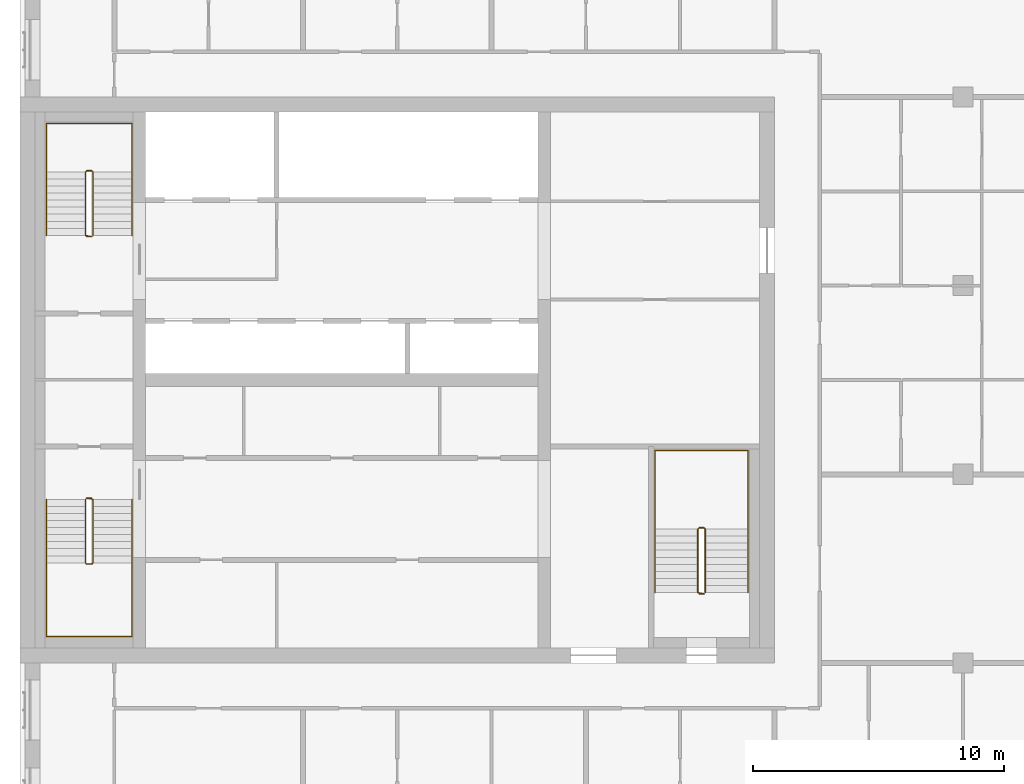
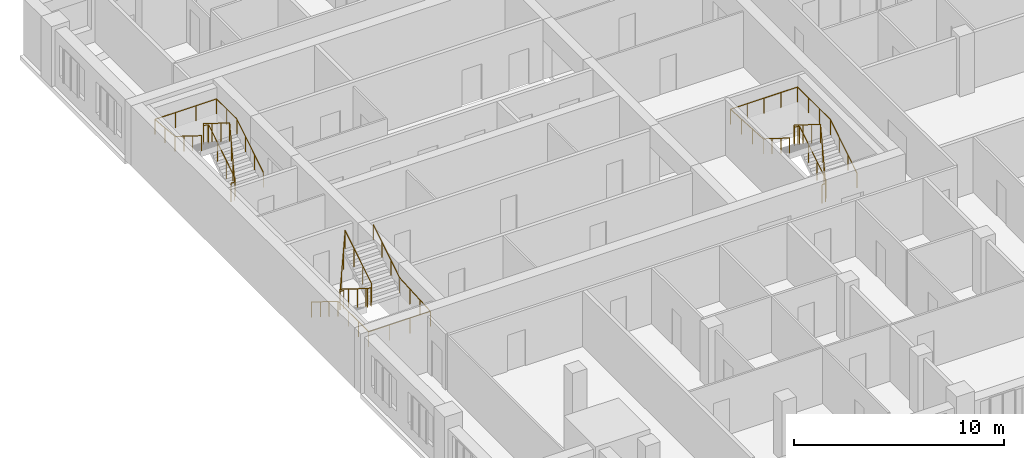
# One storey, part 11 of 11: 6 railings.
"""IFC4 building model written with IfcOpenShell, lengths in metres."""

from ifc_helpers import new_model, si_unit, direction, frame, origin, origin_2d, place, context, subcontext, project, spatial, circle, extrude, material, type_object, element, save


model = new_model("IFC4")

# Units and contexts
model_context = context("Model", 3, precision=1e-05, world=origin(), true_north=direction((0.0, 1.0)))
body_context = subcontext(model_context, "Body", "Model", "MODEL_VIEW")
ifc_project = project(units=[si_unit("LENGTHUNIT", "METRE"), si_unit("AREAUNIT", "SQUARE_METRE"), si_unit("VOLUMEUNIT", "CUBIC_METRE"), si_unit("PLANEANGLEUNIT", "RADIAN"), si_unit("MASSUNIT", "GRAM", prefix="KILO")], contexts=[model_context])

# Site, building, storey
site_placement = place(None, origin())
site = spatial("IfcSite", under=ifc_project, at=site_placement, CompositionType="ELEMENT")
building_placement = place(site_placement, origin())
building = spatial("IfcBuilding", under=site, at=building_placement, Name="Tamorin Gate", CompositionType="ELEMENT")
storey_placement = place(building_placement, frame((0.0, 0.0, 233.699951171875)))
storey = spatial("IfcBuildingStorey", under=building, at=storey_placement, Name="L58", CompositionType="ELEMENT", Elevation=233.699951171875)

# Railings
ifc_material_1 = material(Name="Painted steel balustrade", Category="steel")
railing_type_1 = type_object("IfcRailingType", Name="Stair guard 1100", PredefinedType="GUARDRAIL", material=ifc_material_1)
railing_1_placement = place(storey_placement, frame((32.60009765625, 66.5, 0.175048828125)))
element("IfcRailing", 1, at=railing_1_placement, inside=storey, type_object=railing_type_1, Name="L58 ST1 stair guard 1", PredefinedType="GUARDRAIL", context=body_context, shape_type="SweptSolid", body=[
    extrude(circle(Radius=0.02392578125, at=origin_2d()), frame((0.0, 0.0, 1.076171875), z_axis=(0.0, -0.848007534815, 0.529984170421), x_axis=(1.0, 0.0, 0.0)), (0.0, 0.0, 1.0), 2.9716796875),
    extrude(circle(Radius=0.02392578125, at=origin_2d()), frame((0.0, -2.52001953125, 2.65087890625), z_axis=(0.705375805398, -0.708833529934, 0.0), x_axis=(0.708833529934, 0.705375805398, 0.0)), (0.0, 0.0, 1.0), 0.070556640625),
    extrude(circle(Radius=0.02392578125, at=origin_2d()), frame((0.0498046875, -2.570068359375, 2.65087890625), z_axis=(1.0, 0.0, 0.0), x_axis=(0.0, 1.0, 0.0)), (0.0, 0.0, 1.0), 0.2001953125),
    extrude(circle(Radius=0.02392578125, at=origin_2d()), frame((0.25, -2.570068359375, 2.65087890625), z_axis=(0.263862480399, 0.265155923931, 0.927399011991), x_axis=(-0.708833529934, 0.705375805398, 0.0)), (0.0, 0.0, 1.0), 0.188720703125),
    extrude(circle(Radius=0.02392578125, at=origin_2d()), frame((0.2998046875, -2.52001953125, 2.826171875), z_axis=(0.0, 0.848007534815, 0.529984170421), x_axis=(-1.0, 0.0, 0.0)), (0.0, 0.0, 1.0), 2.9716796875),
    extrude(circle(Radius=0.02392578125, at=origin_2d()), frame((0.2998046875, 0.0, 4.40087890625), z_axis=(-0.071239803756, 0.014261874775, -0.997357252587), x_axis=(-0.196300278283, -0.98054382908, 0.0)), (0.0, 0.0, 1.0), 3.50927734375),
    extrude(circle(Radius=0.02392578125, at=origin_2d()), frame((0.0498046875, 0.050048828125, 0.90087890625), z_axis=(1.0, 0.0, 0.0), x_axis=(0.0, 1.0, 0.0)), (0.0, 0.0, 1.0), 0.2001953125),
    extrude(circle(Radius=0.02099609375, at=origin_2d()), origin(), (0.0, 0.0, 1.0), 1.052001953125),
    extrude(circle(Radius=0.02099609375, at=origin_2d()), frame((0.0, -0.840087890625, 0.52490234375)), (0.0, 0.0, 1.0), 1.052001953125),
    extrude(circle(Radius=0.02099609375, at=origin_2d()), frame((0.0, -1.679931640625, 1.050048828125)), (0.0, 0.0, 1.0), 1.052001953125),
    extrude(circle(Radius=0.02099609375, at=origin_2d()), frame((0.0, -2.52001953125, 1.574951171875)), (0.0, 0.0, 1.0), 1.052001953125),
    extrude(circle(Radius=0.02099609375, at=origin_2d()), frame((0.0498046875, -2.570068359375, 1.574951171875)), (0.0, 0.0, 1.0), 1.052001953125),
    extrude(circle(Radius=0.02099609375, at=origin_2d()), frame((0.25, -2.570068359375, 1.574951171875)), (0.0, 0.0, 1.0), 1.052001953125),
    extrude(circle(Radius=0.02099609375, at=origin_2d()), frame((0.2998046875, -2.52001953125, 1.75)), (0.0, 0.0, 1.0), 1.052001953125),
    extrude(circle(Radius=0.02099609375, at=origin_2d()), frame((0.2998046875, -1.679931640625, 2.27490234375)), (0.0, 0.0, 1.0), 1.052001953125),
    extrude(circle(Radius=0.02099609375, at=origin_2d()), frame((0.2998046875, -0.840087890625, 2.800048828125)), (0.0, 0.0, 1.0), 1.052001953125),
    extrude(circle(Radius=0.02099609375, at=origin_2d()), frame((0.2998046875, 0.0, 3.324951171875)), (0.0, 0.0, 1.0), 1.052001953125),
    extrude(circle(Radius=0.02099609375, at=origin_2d()), frame((0.216552734375, 0.0166015625, 2.158203125)), (0.0, 0.0, 1.0), 1.052001953125),
    extrude(circle(Radius=0.02099609375, at=origin_2d()), frame((0.133056640625, 0.033447265625, 0.99169921875)), (0.0, 0.0, 1.0), 1.052001953125),
    extrude(circle(Radius=0.02099609375, at=origin_2d()), frame((0.0498046875, 0.050048828125, -0.175048828125)), (0.0, 0.0, 1.0), 1.052001953125),
    extrude(circle(Radius=0.02099609375, at=origin_2d()), frame((0.25, 0.050048828125, -0.175048828125)), (0.0, 0.0, 1.0), 1.052001953125),
])
railing_2_placement = place(storey_placement, frame((32.89990234375, 77.0, 0.175048828125)))
element("IfcRailing", 2, at=railing_2_placement, inside=storey, type_object=railing_type_1, Name="L58 ST2 stair guard 1", PredefinedType="GUARDRAIL", context=body_context, shape_type="SweptSolid", body=[
    extrude(circle(Radius=0.02392578125, at=origin_2d()), frame((0.0, 0.0, 1.076171875), z_axis=(0.0, 0.848007534815, 0.529984170421), x_axis=(-1.0, 0.0, 0.0)), (0.0, 0.0, 1.0), 2.9716796875),
    extrude(circle(Radius=0.02392578125, at=origin_2d()), frame((0.0, 2.52001953125, 2.65087890625), z_axis=(-0.705375805398, 0.708833529934, 0.0), x_axis=(-0.708833529934, -0.705375805398, 0.0)), (0.0, 0.0, 1.0), 0.070556640625),
    extrude(circle(Radius=0.02392578125, at=origin_2d()), frame((-0.0498046875, 2.570068359375, 2.65087890625), z_axis=(-1.0, 0.0, 0.0), x_axis=(0.0, -1.0, 0.0)), (0.0, 0.0, 1.0), 0.2001953125),
    extrude(circle(Radius=0.02392578125, at=origin_2d()), frame((-0.25, 2.570068359375, 2.65087890625), z_axis=(-0.263862480399, -0.265155923931, 0.927399011991), x_axis=(0.708833529934, -0.705375805398, 0.0)), (0.0, 0.0, 1.0), 0.188720703125),
    extrude(circle(Radius=0.02392578125, at=origin_2d()), frame((-0.2998046875, 2.52001953125, 2.826171875), z_axis=(0.0, -0.848007534815, 0.529984170421), x_axis=(1.0, 0.0, 0.0)), (0.0, 0.0, 1.0), 2.9716796875),
    extrude(circle(Radius=0.02392578125, at=origin_2d()), frame((-0.2998046875, 0.0, 4.40087890625), z_axis=(0.071239803756, -0.014261874775, -0.997357252587), x_axis=(0.196300278283, 0.98054382908, 0.0)), (0.0, 0.0, 1.0), 3.50927734375),
    extrude(circle(Radius=0.02392578125, at=origin_2d()), frame((-0.0498046875, -0.050048828125, 0.90087890625), z_axis=(-1.0, 0.0, 0.0), x_axis=(0.0, -1.0, 0.0)), (0.0, 0.0, 1.0), 0.2001953125),
    extrude(circle(Radius=0.02099609375, at=origin_2d()), origin(), (0.0, 0.0, 1.0), 1.052001953125),
    extrude(circle(Radius=0.02099609375, at=origin_2d()), frame((0.0, 0.840087890625, 0.52490234375)), (0.0, 0.0, 1.0), 1.052001953125),
    extrude(circle(Radius=0.02099609375, at=origin_2d()), frame((0.0, 1.679931640625, 1.050048828125)), (0.0, 0.0, 1.0), 1.052001953125),
    extrude(circle(Radius=0.02099609375, at=origin_2d()), frame((0.0, 2.52001953125, 1.574951171875)), (0.0, 0.0, 1.0), 1.052001953125),
    extrude(circle(Radius=0.02099609375, at=origin_2d()), frame((-0.0498046875, 2.570068359375, 1.574951171875)), (0.0, 0.0, 1.0), 1.052001953125),
    extrude(circle(Radius=0.02099609375, at=origin_2d()), frame((-0.25, 2.570068359375, 1.574951171875)), (0.0, 0.0, 1.0), 1.052001953125),
    extrude(circle(Radius=0.02099609375, at=origin_2d()), frame((-0.2998046875, 2.52001953125, 1.75)), (0.0, 0.0, 1.0), 1.052001953125),
    extrude(circle(Radius=0.02099609375, at=origin_2d()), frame((-0.2998046875, 1.679931640625, 2.27490234375)), (0.0, 0.0, 1.0), 1.052001953125),
    extrude(circle(Radius=0.02099609375, at=origin_2d()), frame((-0.2998046875, 0.840087890625, 2.800048828125)), (0.0, 0.0, 1.0), 1.052001953125),
    extrude(circle(Radius=0.02099609375, at=origin_2d()), frame((-0.2998046875, 0.0, 3.324951171875)), (0.0, 0.0, 1.0), 1.052001953125),
    extrude(circle(Radius=0.02099609375, at=origin_2d()), frame((-0.216552734375, -0.0166015625, 2.158203125)), (0.0, 0.0, 1.0), 1.052001953125),
    extrude(circle(Radius=0.02099609375, at=origin_2d()), frame((-0.133056640625, -0.033447265625, 0.99169921875)), (0.0, 0.0, 1.0), 1.052001953125),
    extrude(circle(Radius=0.02099609375, at=origin_2d()), frame((-0.0498046875, -0.050048828125, -0.175048828125)), (0.0, 0.0, 1.0), 1.052001953125),
    extrude(circle(Radius=0.02099609375, at=origin_2d()), frame((-0.25, -0.050048828125, -0.175048828125)), (0.0, 0.0, 1.0), 1.052001953125),
])
railing_3_placement = place(storey_placement, frame((57.25, 62.800048828125, 0.175048828125)))
element("IfcRailing", 3, at=railing_3_placement, inside=storey, type_object=railing_type_1, Name="L58 ST3 stair guard 1", PredefinedType="GUARDRAIL", context=body_context, shape_type="SweptSolid", body=[
    extrude(circle(Radius=0.02392578125, at=origin_2d()), frame((0.0, 0.0, 1.076171875), z_axis=(0.0, 0.848007534815, 0.529984170421), x_axis=(-1.0, 0.0, 0.0)), (0.0, 0.0, 1.0), 2.9716796875),
    extrude(circle(Radius=0.02392578125, at=origin_2d()), frame((0.0, 2.52001953125, 2.65087890625), z_axis=(-0.707106781187, 0.707106781187, 0.0), x_axis=(-0.707106781187, -0.707106781187, 0.0)), (0.0, 0.0, 1.0), 0.07080078125),
    extrude(circle(Radius=0.02392578125, at=origin_2d()), frame((-0.050048828125, 2.570068359375, 2.65087890625), z_axis=(-1.0, 0.0, 0.0), x_axis=(0.0, -1.0, 0.0)), (0.0, 0.0, 1.0), 0.199951171875),
    extrude(circle(Radius=0.02392578125, at=origin_2d()), frame((-0.25, 2.570068359375, 2.65087890625), z_axis=(-0.265065253269, -0.265065253269, 0.927081885822), x_axis=(0.707106781187, -0.707106781187, 0.0)), (0.0, 0.0, 1.0), 0.188720703125),
    extrude(circle(Radius=0.02392578125, at=origin_2d()), frame((-0.300048828125, 2.52001953125, 2.826171875), z_axis=(0.0, -0.848007534815, 0.529984170421), x_axis=(1.0, 0.0, 0.0)), (0.0, 0.0, 1.0), 2.9716796875),
    extrude(circle(Radius=0.02392578125, at=origin_2d()), frame((-0.300048828125, 0.0, 4.40087890625), z_axis=(0.071239803756, -0.014261874775, -0.997357252587), x_axis=(0.196300278283, 0.98054382908, 0.0)), (0.0, 0.0, 1.0), 3.50927734375),
    extrude(circle(Radius=0.02392578125, at=origin_2d()), frame((-0.050048828125, -0.050048828125, 0.90087890625), z_axis=(-1.0, 0.0, 0.0), x_axis=(0.0, -1.0, 0.0)), (0.0, 0.0, 1.0), 0.199951171875),
    extrude(circle(Radius=0.02099609375, at=origin_2d()), origin(), (0.0, 0.0, 1.0), 1.052001953125),
    extrude(circle(Radius=0.02099609375, at=origin_2d()), frame((0.0, 0.840087890625, 0.52490234375)), (0.0, 0.0, 1.0), 1.052001953125),
    extrude(circle(Radius=0.02099609375, at=origin_2d()), frame((0.0, 1.679931640625, 1.050048828125)), (0.0, 0.0, 1.0), 1.052001953125),
    extrude(circle(Radius=0.02099609375, at=origin_2d()), frame((0.0, 2.52001953125, 1.574951171875)), (0.0, 0.0, 1.0), 1.052001953125),
    extrude(circle(Radius=0.02099609375, at=origin_2d()), frame((-0.050048828125, 2.570068359375, 1.574951171875)), (0.0, 0.0, 1.0), 1.052001953125),
    extrude(circle(Radius=0.02099609375, at=origin_2d()), frame((-0.25, 2.570068359375, 1.574951171875)), (0.0, 0.0, 1.0), 1.052001953125),
    extrude(circle(Radius=0.02099609375, at=origin_2d()), frame((-0.300048828125, 2.52001953125, 1.75)), (0.0, 0.0, 1.0), 1.052001953125),
    extrude(circle(Radius=0.02099609375, at=origin_2d()), frame((-0.300048828125, 1.679931640625, 2.27490234375)), (0.0, 0.0, 1.0), 1.052001953125),
    extrude(circle(Radius=0.02099609375, at=origin_2d()), frame((-0.300048828125, 0.840087890625, 2.800048828125)), (0.0, 0.0, 1.0), 1.052001953125),
    extrude(circle(Radius=0.02099609375, at=origin_2d()), frame((-0.300048828125, 0.0, 3.324951171875)), (0.0, 0.0, 1.0), 1.052001953125),
    extrude(circle(Radius=0.02099609375, at=origin_2d()), frame((-0.216796875, -0.0166015625, 2.158203125)), (0.0, 0.0, 1.0), 1.052001953125),
    extrude(circle(Radius=0.02099609375, at=origin_2d()), frame((-0.13330078125, -0.033447265625, 0.99169921875)), (0.0, 0.0, 1.0), 1.052001953125),
    extrude(circle(Radius=0.02099609375, at=origin_2d()), frame((-0.050048828125, -0.050048828125, -0.175048828125)), (0.0, 0.0, 1.0), 1.052001953125),
    extrude(circle(Radius=0.02099609375, at=origin_2d()), frame((-0.25, -0.050048828125, -0.175048828125)), (0.0, 0.0, 1.0), 1.052001953125),
])
ifc_material_2 = material(Name="Painted steel handrail", Category="steel")
railing_type_2 = type_object("IfcRailingType", Name="Stair handrail 900", PredefinedType="HANDRAIL", material=ifc_material_2)
railing_4_placement = place(storey_placement, frame((31.050048828125, 66.5, 0.175048828125)))
element("IfcRailing", 4, at=railing_4_placement, inside=storey, type_object=railing_type_2, Name="L58 ST1 stair handrail 1", PredefinedType="HANDRAIL", context=body_context, shape_type="SweptSolid", body=[
    extrude(circle(Radius=0.02392578125, at=origin_2d()), frame((0.0, 0.0, 0.8759765625), z_axis=(0.0, -0.848007534815, 0.529984170421), x_axis=(1.0, 0.0, 0.0)), (0.0, 0.0, 1.0), 2.9716796875),
    extrude(circle(Radius=0.02392578125, at=origin_2d()), frame((0.0, -2.52001953125, 2.45068359375), z_axis=(0.0, -1.0, 0.0), x_axis=(1.0, 0.0, 0.0)), (0.0, 0.0, 1.0), 2.929931640625),
    extrude(circle(Radius=0.02392578125, at=origin_2d()), frame((0.0, -5.449951171875, 2.45068359375), z_axis=(1.0, 0.0, 0.0), x_axis=(0.0, 1.0, 0.0)), (0.0, 0.0, 1.0), 3.39990234375),
    extrude(circle(Radius=0.02392578125, at=origin_2d()), frame((3.39990234375, -5.449951171875, 2.45068359375), z_axis=(0.0, 0.998220029962, 0.0596386769), x_axis=(-1.0, 0.0, 0.0)), (0.0, 0.0, 1.0), 2.93505859375),
    extrude(circle(Radius=0.02392578125, at=origin_2d()), frame((3.39990234375, -2.52001953125, 2.6259765625), z_axis=(0.0, 0.848007534815, 0.529984170421), x_axis=(-1.0, 0.0, 0.0)), (0.0, 0.0, 1.0), 2.9716796875),
    extrude(circle(Radius=0.02099609375, at=origin_2d()), origin(), (0.0, 0.0, 1.0), 0.851806640625),
    extrude(circle(Radius=0.02099609375, at=origin_2d()), frame((0.0, -0.840087890625, 0.52490234375)), (0.0, 0.0, 1.0), 0.851806640625),
    extrude(circle(Radius=0.02099609375, at=origin_2d()), frame((0.0, -1.679931640625, 1.050048828125)), (0.0, 0.0, 1.0), 0.851806640625),
    extrude(circle(Radius=0.02099609375, at=origin_2d()), frame((0.0, -2.52001953125, 1.574951171875)), (0.0, 0.0, 1.0), 0.851806640625),
    extrude(circle(Radius=0.02099609375, at=origin_2d()), frame((0.0, -3.49658203125, 1.574951171875)), (0.0, 0.0, 1.0), 0.851806640625),
    extrude(circle(Radius=0.02099609375, at=origin_2d()), frame((0.0, -4.473388671875, 1.574951171875)), (0.0, 0.0, 1.0), 0.851806640625),
    extrude(circle(Radius=0.02099609375, at=origin_2d()), frame((0.0, -5.449951171875, 1.574951171875)), (0.0, 0.0, 1.0), 0.851806640625),
    extrude(circle(Radius=0.02099609375, at=origin_2d()), frame((1.13330078125, -5.449951171875, 1.574951171875)), (0.0, 0.0, 1.0), 0.851806640625),
    extrude(circle(Radius=0.02099609375, at=origin_2d()), frame((2.2666015625, -5.449951171875, 1.574951171875)), (0.0, 0.0, 1.0), 0.851806640625),
    extrude(circle(Radius=0.02099609375, at=origin_2d()), frame((3.39990234375, -5.449951171875, 1.574951171875)), (0.0, 0.0, 1.0), 0.851806640625),
    extrude(circle(Radius=0.02099609375, at=origin_2d()), frame((3.39990234375, -4.473388671875, 1.63330078125)), (0.0, 0.0, 1.0), 0.851806640625),
    extrude(circle(Radius=0.02099609375, at=origin_2d()), frame((3.39990234375, -3.49658203125, 1.691650390625)), (0.0, 0.0, 1.0), 0.851806640625),
    extrude(circle(Radius=0.02099609375, at=origin_2d()), frame((3.39990234375, -2.52001953125, 1.75)), (0.0, 0.0, 1.0), 0.851806640625),
    extrude(circle(Radius=0.02099609375, at=origin_2d()), frame((3.39990234375, -1.679931640625, 2.27490234375)), (0.0, 0.0, 1.0), 0.851806640625),
    extrude(circle(Radius=0.02099609375, at=origin_2d()), frame((3.39990234375, -0.840087890625, 2.800048828125)), (0.0, 0.0, 1.0), 0.851806640625),
    extrude(circle(Radius=0.02099609375, at=origin_2d()), frame((3.39990234375, 0.0, 3.324951171875)), (0.0, 0.0, 1.0), 0.851806640625),
])
railing_5_placement = place(storey_placement, frame((34.449951171875, 77.0, 0.175048828125)))
element("IfcRailing", 5, at=railing_5_placement, inside=storey, type_object=railing_type_2, Name="L58 ST2 stair handrail 1", PredefinedType="HANDRAIL", context=body_context, shape_type="SweptSolid", body=[
    extrude(circle(Radius=0.02392578125, at=origin_2d()), frame((0.0, 0.0, 0.8759765625), z_axis=(0.0, 0.848007534815, 0.529984170421), x_axis=(-1.0, 0.0, 0.0)), (0.0, 0.0, 1.0), 2.9716796875),
    extrude(circle(Radius=0.02392578125, at=origin_2d()), frame((0.0, 2.52001953125, 2.45068359375), z_axis=(0.0, 1.0, 0.0), x_axis=(-1.0, 0.0, 0.0)), (0.0, 0.0, 1.0), 1.929931640625),
    extrude(circle(Radius=0.02392578125, at=origin_2d()), frame((0.0, 4.449951171875, 2.45068359375), z_axis=(-1.0, 0.0, 0.0), x_axis=(0.0, -1.0, 0.0)), (0.0, 0.0, 1.0), 3.39990234375),
    extrude(circle(Radius=0.02392578125, at=origin_2d()), frame((-3.39990234375, 4.449951171875, 2.45068359375), z_axis=(0.0, -0.995911773435, 0.090331276604), x_axis=(1.0, 0.0, 0.0)), (0.0, 0.0, 1.0), 1.937744140625),
    extrude(circle(Radius=0.02392578125, at=origin_2d()), frame((-3.39990234375, 2.52001953125, 2.6259765625), z_axis=(0.0, -0.848007534815, 0.529984170421), x_axis=(1.0, 0.0, 0.0)), (0.0, 0.0, 1.0), 2.9716796875),
    extrude(circle(Radius=0.02099609375, at=origin_2d()), origin(), (0.0, 0.0, 1.0), 0.851806640625),
    extrude(circle(Radius=0.02099609375, at=origin_2d()), frame((0.0, 0.840087890625, 0.52490234375)), (0.0, 0.0, 1.0), 0.851806640625),
    extrude(circle(Radius=0.02099609375, at=origin_2d()), frame((0.0, 1.679931640625, 1.050048828125)), (0.0, 0.0, 1.0), 0.851806640625),
    extrude(circle(Radius=0.02099609375, at=origin_2d()), frame((0.0, 2.52001953125, 1.574951171875)), (0.0, 0.0, 1.0), 0.851806640625),
    extrude(circle(Radius=0.02099609375, at=origin_2d()), frame((0.0, 3.48486328125, 1.574951171875)), (0.0, 0.0, 1.0), 0.851806640625),
    extrude(circle(Radius=0.02099609375, at=origin_2d()), frame((0.0, 4.449951171875, 1.574951171875)), (0.0, 0.0, 1.0), 0.851806640625),
    extrude(circle(Radius=0.02099609375, at=origin_2d()), frame((-1.13330078125, 4.449951171875, 1.574951171875)), (0.0, 0.0, 1.0), 0.851806640625),
    extrude(circle(Radius=0.02099609375, at=origin_2d()), frame((-2.2666015625, 4.449951171875, 1.574951171875)), (0.0, 0.0, 1.0), 0.851806640625),
    extrude(circle(Radius=0.02099609375, at=origin_2d()), frame((-3.39990234375, 4.449951171875, 1.574951171875)), (0.0, 0.0, 1.0), 0.851806640625),
    extrude(circle(Radius=0.02099609375, at=origin_2d()), frame((-3.39990234375, 3.48486328125, 1.66259765625)), (0.0, 0.0, 1.0), 0.851806640625),
    extrude(circle(Radius=0.02099609375, at=origin_2d()), frame((-3.39990234375, 2.52001953125, 1.75)), (0.0, 0.0, 1.0), 0.851806640625),
    extrude(circle(Radius=0.02099609375, at=origin_2d()), frame((-3.39990234375, 1.679931640625, 2.27490234375)), (0.0, 0.0, 1.0), 0.851806640625),
    extrude(circle(Radius=0.02099609375, at=origin_2d()), frame((-3.39990234375, 0.840087890625, 2.800048828125)), (0.0, 0.0, 1.0), 0.851806640625),
    extrude(circle(Radius=0.02099609375, at=origin_2d()), frame((-3.39990234375, 0.0, 3.324951171875)), (0.0, 0.0, 1.0), 0.851806640625),
])
railing_6_placement = place(storey_placement, frame((58.949951171875, 62.800048828125, 0.175048828125)))
element("IfcRailing", 6, at=railing_6_placement, inside=storey, type_object=railing_type_2, Name="L58 ST3 stair handrail 1", PredefinedType="HANDRAIL", context=body_context, shape_type="SweptSolid", body=[
    extrude(circle(Radius=0.02392578125, at=origin_2d()), frame((0.0, 0.0, 0.8759765625), z_axis=(0.0, 0.848007534815, 0.529984170421), x_axis=(-1.0, 0.0, 0.0)), (0.0, 0.0, 1.0), 2.9716796875),
    extrude(circle(Radius=0.02392578125, at=origin_2d()), frame((0.0, 2.52001953125, 2.45068359375), z_axis=(0.0, 1.0, 0.0), x_axis=(-1.0, 0.0, 0.0)), (0.0, 0.0, 1.0), 3.1298828125),
    extrude(circle(Radius=0.02392578125, at=origin_2d()), frame((0.0, 5.64990234375, 2.45068359375), z_axis=(-1.0, 0.0, 0.0), x_axis=(0.0, -1.0, 0.0)), (0.0, 0.0, 1.0), 3.699951171875),
    extrude(circle(Radius=0.02392578125, at=origin_2d()), frame((-3.699951171875, 5.64990234375, 2.45068359375), z_axis=(0.0, -0.998439675676, 0.055840970941), x_axis=(1.0, 0.0, 0.0)), (0.0, 0.0, 1.0), 3.134765625),
    extrude(circle(Radius=0.02392578125, at=origin_2d()), frame((-3.699951171875, 2.52001953125, 2.6259765625), z_axis=(0.0, -0.848007534815, 0.529984170421), x_axis=(1.0, 0.0, 0.0)), (0.0, 0.0, 1.0), 2.9716796875),
    extrude(circle(Radius=0.02099609375, at=origin_2d()), origin(), (0.0, 0.0, 1.0), 0.851806640625),
    extrude(circle(Radius=0.02099609375, at=origin_2d()), frame((0.0, 0.840087890625, 0.52490234375)), (0.0, 0.0, 1.0), 0.851806640625),
    extrude(circle(Radius=0.02099609375, at=origin_2d()), frame((0.0, 1.679931640625, 1.050048828125)), (0.0, 0.0, 1.0), 0.851806640625),
    extrude(circle(Radius=0.02099609375, at=origin_2d()), frame((0.0, 2.52001953125, 1.574951171875)), (0.0, 0.0, 1.0), 0.851806640625),
    extrude(circle(Radius=0.02099609375, at=origin_2d()), frame((0.0, 3.563232421875, 1.574951171875)), (0.0, 0.0, 1.0), 0.851806640625),
    extrude(circle(Radius=0.02099609375, at=origin_2d()), frame((0.0, 4.606689453125, 1.574951171875)), (0.0, 0.0, 1.0), 0.851806640625),
    extrude(circle(Radius=0.02099609375, at=origin_2d()), frame((0.0, 5.64990234375, 1.574951171875)), (0.0, 0.0, 1.0), 0.851806640625),
    extrude(circle(Radius=0.02099609375, at=origin_2d()), frame((-0.925048828125, 5.64990234375, 1.574951171875)), (0.0, 0.0, 1.0), 0.851806640625),
    extrude(circle(Radius=0.02099609375, at=origin_2d()), frame((-1.85009765625, 5.64990234375, 1.574951171875)), (0.0, 0.0, 1.0), 0.851806640625),
    extrude(circle(Radius=0.02099609375, at=origin_2d()), frame((-2.77490234375, 5.64990234375, 1.574951171875)), (0.0, 0.0, 1.0), 0.851806640625),
    extrude(circle(Radius=0.02099609375, at=origin_2d()), frame((-3.699951171875, 5.64990234375, 1.574951171875)), (0.0, 0.0, 1.0), 0.851806640625),
    extrude(circle(Radius=0.02099609375, at=origin_2d()), frame((-3.699951171875, 4.606689453125, 1.63330078125)), (0.0, 0.0, 1.0), 0.851806640625),
    extrude(circle(Radius=0.02099609375, at=origin_2d()), frame((-3.699951171875, 3.563232421875, 1.691650390625)), (0.0, 0.0, 1.0), 0.851806640625),
    extrude(circle(Radius=0.02099609375, at=origin_2d()), frame((-3.699951171875, 2.52001953125, 1.75)), (0.0, 0.0, 1.0), 0.851806640625),
    extrude(circle(Radius=0.02099609375, at=origin_2d()), frame((-3.699951171875, 1.679931640625, 2.27490234375)), (0.0, 0.0, 1.0), 0.851806640625),
    extrude(circle(Radius=0.02099609375, at=origin_2d()), frame((-3.699951171875, 0.840087890625, 2.800048828125)), (0.0, 0.0, 1.0), 0.851806640625),
    extrude(circle(Radius=0.02099609375, at=origin_2d()), frame((-3.699951171875, 0.0, 3.324951171875)), (0.0, 0.0, 1.0), 0.851806640625),
])

save(model, "model.ifc")
